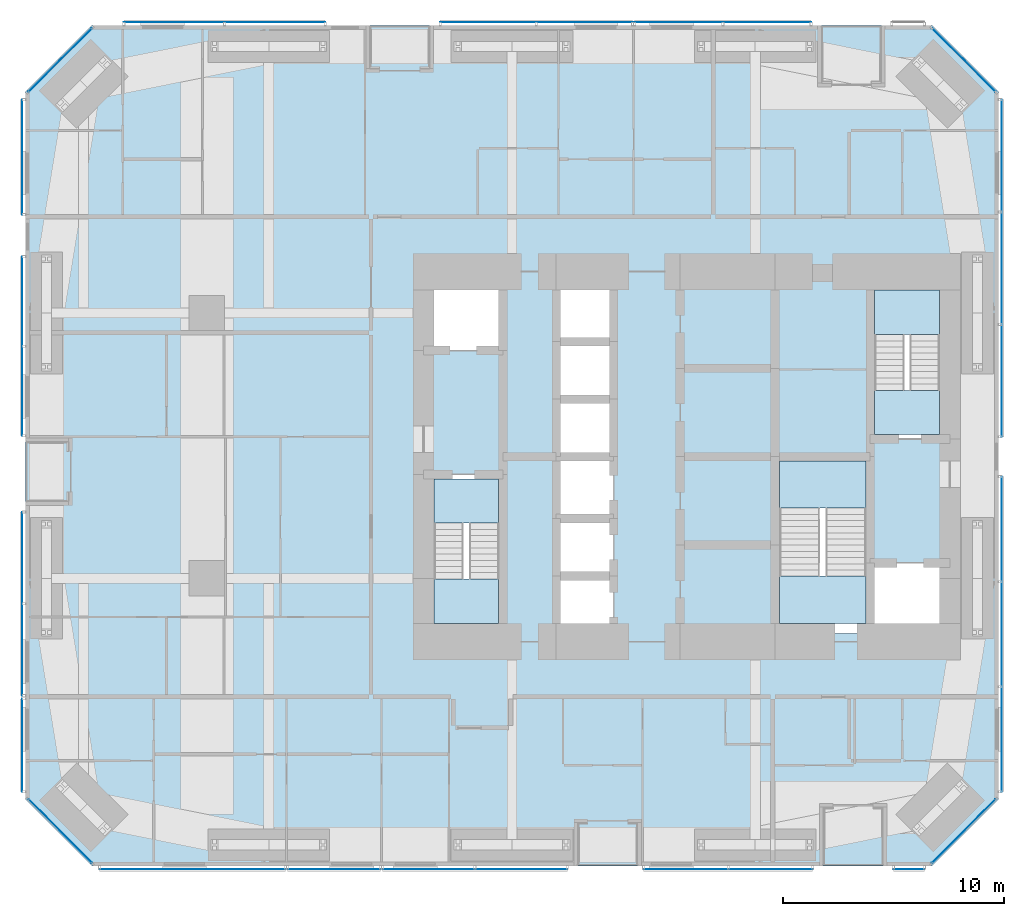
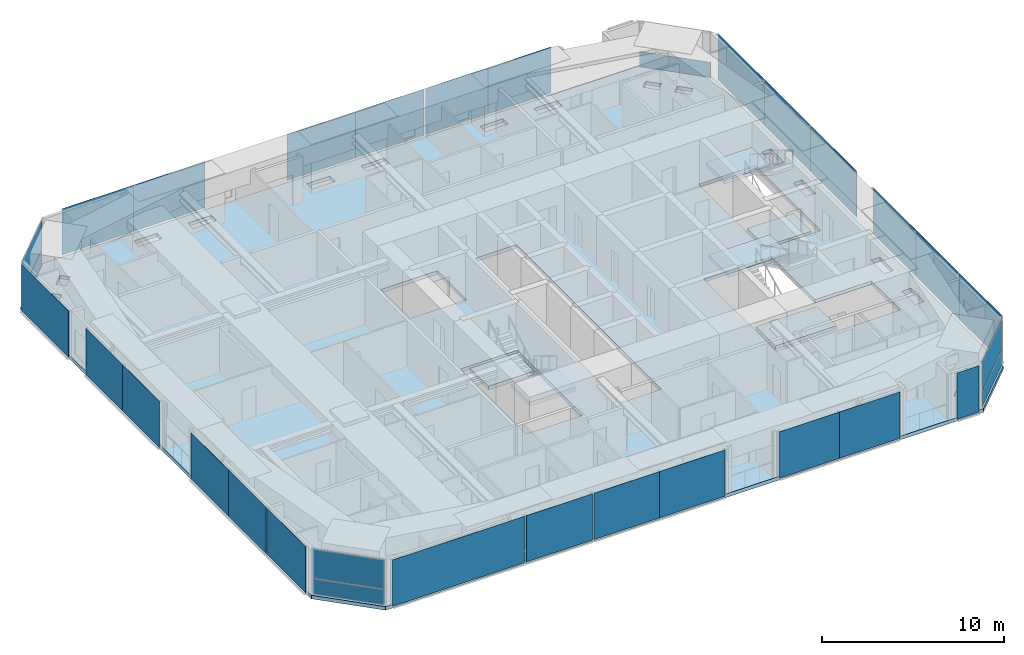
# One storey, part 16 of 24: 32 plates, 7 slabs, 21 elements without a shape of their own.
"""IFC4 building model written with IfcOpenShell, lengths in metres."""

from ifc_helpers import new_model, si_unit, direction, frame, origin, origin_2d, place, context, subcontext, project, spatial, polyline, rectangle, outline, extrude, material, layer, layer_set, type_object, element, aggregate, save


model = new_model("IFC4")

# Units and contexts
model_context = context("Model", 3, precision=1e-05, world=origin(), true_north=direction((0.0, 1.0)))
body_context = subcontext(model_context, "Body", "Model", "MODEL_VIEW")
ifc_project = project(units=[si_unit("LENGTHUNIT", "METRE"), si_unit("AREAUNIT", "SQUARE_METRE"), si_unit("VOLUMEUNIT", "CUBIC_METRE"), si_unit("PLANEANGLEUNIT", "RADIAN"), si_unit("MASSUNIT", "GRAM", prefix="KILO")], contexts=[model_context])

# Site, building, storey
site_placement = place(None, origin())
site = spatial("IfcSite", under=ifc_project, at=site_placement, CompositionType="ELEMENT")
building_placement = place(site_placement, origin())
building = spatial("IfcBuilding", under=site, at=building_placement, Name="Jalousie Tower", CompositionType="ELEMENT")
storey_placement = place(building_placement, frame((0.0, 0.0, 54.5)))
storey = spatial("IfcBuildingStorey", under=building, at=storey_placement, Name="L14", CompositionType="ELEMENT", Elevation=54.5)

# Curtain wall, plates
ifc_material_1 = material(Name="Aluminium curtain wall", Category="aluminium")
curtain_wall_type_1 = type_object("IfcCurtainWallType", Name="CORNER WINDOW WALL", PredefinedType="USERDEFINED", material=ifc_material_1)
curtain_wall_1_placement = place(storey_placement, origin())
curtain_wall_1 = element("IfcCurtainWall", 1, at=curtain_wall_1_placement, inside=storey, type_object=curtain_wall_type_1, Name="Corner Window Wall L14 2", ObjectType="CORNER WINDOW WALL", PredefinedType="USERDEFINED")
ifc_material_2 = material(Name="Laminated impact-rated spandrel glass", Category="glass")
ifc_layer_1 = layer(ifc_material_2, 0.028076171875)
ifc_layer_set_1 = layer_set([ifc_layer_1], Name="Laminated impact-rated spandrel glass")
plate_type_1 = type_object("IfcPlateType", Name="CORNER WINDOW WALL PANEL", PredefinedType="CURTAIN_PANEL", material=ifc_layer_set_1)
plate_1_placement = place(storey_placement, frame((44.4306640625, 1.5693359375, 0.06005859375), z_axis=(0.0, 0.0, 1.0), x_axis=(0.707106781187, 0.707106781187, 0.0)))
plate_1 = element("IfcPlate", 2, at=plate_1_placement, type_object=plate_type_1, Name="CW-C panel 1.1", PredefinedType="CURTAIN_PANEL", context=body_context, shape_type="SweptSolid", body=[
    extrude(rectangle(XDim=4.071533203125, YDim=0.028076171875, at=origin_2d()), origin(), (0.0, 0.0, 1.0), 1.010009765625),
])
plate_2_placement = place(storey_placement, frame((44.4306640625, 1.5693359375, 1.130126953125), z_axis=(0.0, 0.0, 1.0), x_axis=(0.707106781187, 0.707106781187, 0.0)))
plate_2 = element("IfcPlate", 3, at=plate_2_placement, type_object=plate_type_1, Name="CW-C panel 1.2", PredefinedType="CURTAIN_PANEL", context=body_context, shape_type="SweptSolid", body=[
    extrude(rectangle(XDim=4.071533203125, YDim=0.028076171875, at=origin_2d()), origin(), (0.0, 0.0, 1.0), 1.919921875),
])
aggregate(curtain_wall_1, [plate_1, plate_2])

# Curtain wall, plate
curtain_wall_2_placement = place(storey_placement, origin())
curtain_wall_2 = element("IfcCurtainWall", 4, at=curtain_wall_2_placement, inside=storey, type_object=curtain_wall_type_1, Name="Corner Window Wall L14 4", ObjectType="CORNER WINDOW WALL", PredefinedType="USERDEFINED")
plate_3_placement = place(storey_placement, frame((44.4306640625, 36.4306640625, 0.06005859375), z_axis=(0.0, 0.0, 1.0), x_axis=(-0.707106781187, 0.707106781187, 0.0)))
plate_3 = element("IfcPlate", 5, at=plate_3_placement, type_object=plate_type_1, Name="CW-C panel 1.1", PredefinedType="CURTAIN_PANEL", context=body_context, shape_type="SweptSolid", body=[
    extrude(rectangle(XDim=4.071533203125, YDim=0.028076171875, at=origin_2d()), origin(), (0.0, 0.0, 1.0), 1.010009765625),
])
aggregate(curtain_wall_2, [plate_3])

# Curtain wall, plates
curtain_wall_3_placement = place(storey_placement, origin())
curtain_wall_3 = element("IfcCurtainWall", 6, at=curtain_wall_3_placement, inside=storey, type_object=curtain_wall_type_1, Name="Corner Window Wall L14 6", ObjectType="CORNER WINDOW WALL", PredefinedType="USERDEFINED")
plate_4_placement = place(storey_placement, frame((3.5693359375, 36.4306640625, 0.06005859375), z_axis=(0.0, 0.0, 1.0), x_axis=(-0.707106781187, -0.707106781187, 0.0)))
plate_4 = element("IfcPlate", 7, at=plate_4_placement, type_object=plate_type_1, Name="CW-C panel 1.1", PredefinedType="CURTAIN_PANEL", context=body_context, shape_type="SweptSolid", body=[
    extrude(rectangle(XDim=4.071533203125, YDim=0.028076171875, at=origin_2d()), origin(), (0.0, 0.0, 1.0), 1.010009765625),
])
plate_5_placement = place(storey_placement, frame((3.5693359375, 36.4306640625, 1.130126953125), z_axis=(0.0, 0.0, 1.0), x_axis=(-0.707106781187, -0.707106781187, 0.0)))
plate_5 = element("IfcPlate", 8, at=plate_5_placement, type_object=plate_type_1, Name="CW-C panel 1.2", PredefinedType="CURTAIN_PANEL", context=body_context, shape_type="SweptSolid", body=[
    extrude(rectangle(XDim=4.071533203125, YDim=0.028076171875, at=origin_2d()), origin(), (0.0, 0.0, 1.0), 1.919921875),
])
aggregate(curtain_wall_3, [plate_4, plate_5])

curtain_wall_4_placement = place(storey_placement, origin())
curtain_wall_4 = element("IfcCurtainWall", 9, at=curtain_wall_4_placement, inside=storey, type_object=curtain_wall_type_1, Name="Corner Window Wall L14 8", ObjectType="CORNER WINDOW WALL", PredefinedType="USERDEFINED")
plate_6_placement = place(storey_placement, frame((3.5693359375, 1.5693359375, 0.06005859375), z_axis=(0.0, 0.0, 1.0), x_axis=(0.707106781187, -0.707106781187, 0.0)))
plate_6 = element("IfcPlate", 10, at=plate_6_placement, type_object=plate_type_1, Name="CW-C panel 1.1", PredefinedType="CURTAIN_PANEL", context=body_context, shape_type="SweptSolid", body=[
    extrude(rectangle(XDim=4.071533203125, YDim=0.028076171875, at=origin_2d()), origin(), (0.0, 0.0, 1.0), 1.010009765625),
])
plate_7_placement = place(storey_placement, frame((3.5693359375, 1.5693359375, 1.130126953125), z_axis=(0.0, 0.0, 1.0), x_axis=(0.707106781187, -0.707106781187, 0.0)))
plate_7 = element("IfcPlate", 11, at=plate_7_placement, type_object=plate_type_1, Name="CW-C panel 1.2", PredefinedType="CURTAIN_PANEL", context=body_context, shape_type="SweptSolid", body=[
    extrude(rectangle(XDim=4.071533203125, YDim=0.028076171875, at=origin_2d()), origin(), (0.0, 0.0, 1.0), 1.919921875),
])
aggregate(curtain_wall_4, [plate_6, plate_7])

# Slab
ifc_material_3 = material(Name="Concrete f'c 40 MPa", Category="concrete")
ifc_layer_2 = layer(ifc_material_3, 0.239990234375)
ifc_layer_set_2 = layer_set([ifc_layer_2], Name="Concrete f'c 40 MPa")
slab_type_1 = type_object("IfcSlabType", Name="FLOOR SLAB 240", PredefinedType="FLOOR", material=ifc_layer_set_2)
slab_1_placement = place(storey_placement, frame((0.0, 0.0, -0.239990234375)))
element("IfcSlab", 12, at=slab_1_placement, inside=storey, type_object=slab_type_1, Name="L14 floor slab", PredefinedType="FLOOR", context=body_context, shape_type="SweptSolid", body=[
    extrude(outline(polyline([(5.0, 0.0), (43.0, 0.0), (46.0, 3.0), (46.0, 35.0), (43.0, 38.0), (5.0, 38.0), (2.0, 35.0), (2.0, 3.0), (5.0, 0.0)]), holes=[polyline([(24.986083984375, 0.663818359375), (24.986083984375, 1.236083984375), (26.390380859375, 1.236083984375), (26.449951171875, 1.236083984375), (26.449951171875, 0.663818359375), (26.390380859375, 0.663818359375), (24.986083984375, 0.663818359375)]), polyline([(23.013916015625, 1.236083984375), (23.013916015625, 0.663818359375), (21.609619140625, 0.663818359375), (21.550048828125, 0.663818359375), (21.550048828125, 1.236083984375), (21.609619140625, 1.236083984375), (23.013916015625, 1.236083984375)]), polyline([(10.550048828125, 1.236083984375), (10.609619140625, 1.236083984375), (12.013916015625, 1.236083984375), (12.013916015625, 0.663818359375), (10.609619140625, 0.663818359375), (10.550048828125, 0.663818359375), (10.550048828125, 1.236083984375)]), polyline([(13.986083984375, 1.236083984375), (15.390380859375, 1.236083984375), (15.449951171875, 1.236083984375), (15.449951171875, 0.663818359375), (15.390380859375, 0.663818359375), (13.986083984375, 0.663818359375), (13.986083984375, 1.236083984375)]), polyline([(5.788330078125, 1.879150390625), (5.788330078125, 1.879150390625), (5.5859375, 1.6767578125), (5.383544921875, 1.474365234375), (4.750244140625, 2.10791015625), (5.155029296875, 2.5126953125), (5.788330078125, 1.879150390625), (5.788330078125, 1.879150390625)]), polyline([(3.947265625, 3.72021484375), (3.96533203125, 3.7021484375), (4.5126953125, 3.155029296875), (4.10791015625, 2.750244140625), (3.474365234375, 3.383544921875), (3.6767578125, 3.5859375), (3.879150390625, 3.788330078125), (3.879150390625, 3.788330078125), (3.947265625, 3.72021484375)]), polyline([(3.236083984375, 10.550048828125), (2.663818359375, 10.550048828125), (2.663818359375, 10.609619140625), (2.663818359375, 12.013916015625), (3.236083984375, 12.013916015625), (3.236083984375, 10.609619140625), (3.236083984375, 10.550048828125)]), polyline([(26.0, 10.5), (26.0, 26.5), (28.60009765625, 26.5), (28.60009765625, 10.5), (26.0, 10.5)]), polyline([(20.0, 10.5), (23.60009765625, 10.5), (23.60009765625, 17.699951171875), (20.0, 17.699951171875), (20.0, 10.5)]), polyline([(3.236083984375, 15.390380859375), (3.236083984375, 13.986083984375), (2.663818359375, 13.986083984375), (2.663818359375, 15.390380859375), (2.663818359375, 15.449951171875), (3.236083984375, 15.449951171875), (3.236083984375, 15.390380859375)]), polyline([(2.663818359375, 24.013916015625), (3.236083984375, 24.013916015625), (3.236083984375, 22.609619140625), (3.236083984375, 22.550048828125), (2.663818359375, 22.550048828125), (2.663818359375, 22.609619140625), (2.663818359375, 24.013916015625)]), polyline([(20.0, 23.300048828125), (23.60009765625, 23.300048828125), (23.60009765625, 26.5), (20.0, 26.5), (20.0, 23.300048828125)]), polyline([(3.236083984375, 25.986083984375), (2.663818359375, 25.986083984375), (2.663818359375, 27.390380859375), (2.663818359375, 27.449951171875), (3.236083984375, 27.449951171875), (3.236083984375, 27.390380859375), (3.236083984375, 25.986083984375)]), polyline([(3.560791015625, 34.70263671875), (4.10791015625, 35.249755859375), (4.5126953125, 34.844970703125), (3.879150390625, 34.211669921875), (3.474365234375, 34.616455078125), (3.560791015625, 34.70263671875)]), polyline([(5.788330078125, 36.120849609375), (5.7294921875, 36.06201171875), (5.7021484375, 36.03466796875), (5.7021484375, 36.03466796875), (5.155029296875, 35.4873046875), (4.750244140625, 35.89208984375), (5.383544921875, 36.525634765625), (5.5859375, 36.3232421875), (5.788330078125, 36.120849609375), (5.788330078125, 36.120849609375), (5.788330078125, 36.120849609375)]), polyline([(15.449951171875, 37.336181640625), (15.449951171875, 36.763916015625), (15.390380859375, 36.763916015625), (13.986083984375, 36.763916015625), (13.986083984375, 37.336181640625), (15.390380859375, 37.336181640625), (15.449951171875, 37.336181640625)]), polyline([(23.013916015625, 36.763916015625), (21.609619140625, 36.763916015625), (21.550048828125, 36.763916015625), (21.550048828125, 37.336181640625), (21.609619140625, 37.336181640625), (23.013916015625, 37.336181640625), (23.013916015625, 36.763916015625)]), polyline([(10.550048828125, 36.763916015625), (10.550048828125, 37.336181640625), (10.609619140625, 37.336181640625), (12.013916015625, 37.336181640625), (12.013916015625, 36.763916015625), (10.609619140625, 36.763916015625), (10.550048828125, 36.763916015625)]), polyline([(24.986083984375, 37.336181640625), (26.390380859375, 37.336181640625), (26.449951171875, 37.336181640625), (26.449951171875, 36.763916015625), (26.390380859375, 36.763916015625), (24.986083984375, 36.763916015625), (24.986083984375, 37.336181640625)]), polyline([(32.609619140625, 0.663818359375), (32.550048828125, 0.663818359375), (32.550048828125, 1.236083984375), (32.609619140625, 1.236083984375), (34.013916015625, 1.236083984375), (34.013916015625, 0.663818359375), (32.609619140625, 0.663818359375)]), polyline([(37.390380859375, 1.236083984375), (37.449951171875, 1.236083984375), (37.449951171875, 0.663818359375), (37.390380859375, 0.663818359375), (35.986083984375, 0.663818359375), (35.986083984375, 1.236083984375), (37.390380859375, 1.236083984375)]), polyline([(42.70263671875, 1.560791015625), (42.616455078125, 1.474365234375), (42.4140625, 1.6767578125), (42.211669921875, 1.879150390625), (42.211669921875, 1.879150390625), (42.2978515625, 1.96533203125), (42.844970703125, 2.5126953125), (43.249755859375, 2.10791015625), (42.70263671875, 1.560791015625), (42.70263671875, 1.560791015625)]), polyline([(44.03466796875, 3.7021484375), (44.04345703125, 3.7109375), (44.120849609375, 3.788330078125), (44.120849609375, 3.788330078125), (44.120849609375, 3.788330078125), (44.3232421875, 3.5859375), (44.525634765625, 3.383544921875), (43.89208984375, 2.750244140625), (43.4873046875, 3.155029296875), (44.03466796875, 3.7021484375)]), polyline([(45.336181640625, 10.550048828125), (44.763916015625, 10.550048828125), (44.763916015625, 10.609619140625), (44.763916015625, 12.013916015625), (45.336181640625, 12.013916015625), (45.336181640625, 10.609619140625), (45.336181640625, 10.550048828125)]), polyline([(35.89990234375, 10.5), (35.89990234375, 18.5), (40.199951171875, 18.5), (40.199951171875, 13.699951171875), (43.800048828125, 13.699951171875), (43.800048828125, 10.5), (35.89990234375, 10.5)]), polyline([(45.336181640625, 13.986083984375), (44.763916015625, 13.986083984375), (44.763916015625, 15.390380859375), (44.763916015625, 15.449951171875), (45.336181640625, 15.449951171875), (45.336181640625, 15.390380859375), (45.336181640625, 13.986083984375)]), polyline([(40.199951171875, 19.300048828125), (43.800048828125, 19.300048828125), (43.800048828125, 26.5), (40.199951171875, 26.5), (40.199951171875, 19.300048828125)]), polyline([(45.336181640625, 22.550048828125), (44.763916015625, 22.550048828125), (44.763916015625, 22.609619140625), (44.763916015625, 24.013916015625), (45.336181640625, 24.013916015625), (45.336181640625, 22.609619140625), (45.336181640625, 22.550048828125)]), polyline([(45.336181640625, 27.390380859375), (45.336181640625, 25.986083984375), (44.763916015625, 25.986083984375), (44.763916015625, 27.390380859375), (44.763916015625, 27.449951171875), (45.336181640625, 27.449951171875), (45.336181640625, 27.390380859375)]), polyline([(44.120849609375, 34.211669921875), (44.03466796875, 34.2978515625), (43.4873046875, 34.844970703125), (43.89208984375, 35.249755859375), (44.525634765625, 34.616455078125), (44.525634765625, 34.616455078125), (44.525634765625, 34.616455078125), (44.3232421875, 34.4140625), (44.120849609375, 34.211669921875)]), polyline([(42.616455078125, 36.525634765625), (42.616455078125, 36.525634765625), (43.249755859375, 35.89208984375), (42.844970703125, 35.4873046875), (42.2978515625, 36.03466796875), (42.211669921875, 36.120849609375), (42.4140625, 36.3232421875), (42.616455078125, 36.525634765625), (42.616455078125, 36.525634765625)]), polyline([(37.390380859375, 37.336181640625), (37.449951171875, 37.336181640625), (37.449951171875, 36.763916015625), (37.390380859375, 36.763916015625), (35.986083984375, 36.763916015625), (35.986083984375, 37.336181640625), (37.390380859375, 37.336181640625)]), polyline([(34.013916015625, 37.336181640625), (34.013916015625, 36.763916015625), (32.609619140625, 36.763916015625), (32.550048828125, 36.763916015625), (32.550048828125, 37.336181640625), (32.609619140625, 37.336181640625), (34.013916015625, 37.336181640625)])]), origin(), (0.0, 0.0, 1.0), 0.239990234375),
])

# Curtain wall, plate
ifc_material_4 = material(Name="Perforated aluminium sheet", Category="aluminium")
curtain_wall_type_2 = type_object("IfcCurtainWallType", Name="SOLAR SCREEN SS-1", PredefinedType="USERDEFINED", material=ifc_material_4)
curtain_wall_5_placement = place(storey_placement, origin())
curtain_wall_5 = element("IfcCurtainWall", 13, at=curtain_wall_5_placement, inside=storey, type_object=curtain_wall_type_2, Name="Solar screen L14", ObjectType="SOLAR SCREEN SS-1", PredefinedType="USERDEFINED")
ifc_material_5 = material(Name="Perforated aluminium sheet", Category="aluminium")
ifc_layer_3 = layer(ifc_material_5, 0.006103515625)
ifc_layer_set_3 = layer_set([ifc_layer_3], Name="Perforated aluminium sheet")
plate_type_2 = type_object("IfcPlateType", Name="SOLAR SCREEN SS-1 PANEL", PredefinedType="CURTAIN_PANEL", material=ifc_layer_set_3)
plate_8_placement = place(storey_placement, frame((9.55078125, -0.150390625, 0.0), z_axis=(0.0, 0.0, 1.0), x_axis=(1.0, 0.0, 0.0)))
plate_8 = element("IfcPlate", 14, at=plate_8_placement, type_object=plate_type_2, Name="SS1 perforated panel 1", PredefinedType="CURTAIN_PANEL", context=body_context, shape_type="SweptSolid", body=[
    extrude(rectangle(XDim=8.398681640625, YDim=0.006103515625, at=origin_2d()), origin(), (0.0, 0.0, 1.0), 3.110107421875),
])
aggregate(curtain_wall_5, [plate_8])

curtain_wall_6_placement = place(storey_placement, origin())
curtain_wall_6 = element("IfcCurtainWall", 15, at=curtain_wall_6_placement, inside=storey, type_object=curtain_wall_type_2, Name="Solar screen L14", ObjectType="SOLAR SCREEN SS-1", PredefinedType="USERDEFINED")
plate_9_placement = place(storey_placement, frame((15.949951171875, -0.150390625, 0.0), z_axis=(0.0, 0.0, 1.0), x_axis=(1.0, 0.0, 0.0)))
plate_9 = element("IfcPlate", 16, at=plate_9_placement, type_object=plate_type_2, Name="SS1 perforated panel 1", PredefinedType="CURTAIN_PANEL", context=body_context, shape_type="SweptSolid", body=[
    extrude(rectangle(XDim=4.199951171875, YDim=0.006103515625, at=origin_2d()), origin(), (0.0, 0.0, 1.0), 3.110107421875),
])
aggregate(curtain_wall_6, [plate_9])

# Curtain wall, plates
curtain_wall_7_placement = place(storey_placement, origin())
curtain_wall_7 = element("IfcCurtainWall", 17, at=curtain_wall_7_placement, inside=storey, type_object=curtain_wall_type_2, Name="Solar screen L14", ObjectType="SOLAR SCREEN SS-1", PredefinedType="USERDEFINED")
plate_10_placement = place(storey_placement, frame((20.237548828125, -0.150390625, 0.0), z_axis=(0.0, 0.0, 1.0), x_axis=(1.0, 0.0, 0.0)))
plate_10 = element("IfcPlate", 18, at=plate_10_placement, type_object=plate_type_2, Name="SS1 perforated panel 1", PredefinedType="CURTAIN_PANEL", context=body_context, shape_type="SweptSolid", body=[
    extrude(rectangle(XDim=4.175048828125, YDim=0.006103515625, at=origin_2d()), origin(), (0.0, 0.0, 1.0), 3.110107421875),
])
plate_11_placement = place(storey_placement, frame((24.41259765625, -0.150390625, 0.0), z_axis=(0.0, 0.0, 1.0), x_axis=(1.0, 0.0, 0.0)))
plate_11 = element("IfcPlate", 19, at=plate_11_placement, type_object=plate_type_2, Name="SS1 perforated panel 2", PredefinedType="CURTAIN_PANEL", context=body_context, shape_type="SweptSolid", body=[
    extrude(rectangle(XDim=4.175048828125, YDim=0.006103515625, at=origin_2d()), origin(), (0.0, 0.0, 1.0), 3.110107421875),
])
aggregate(curtain_wall_7, [plate_10, plate_11])

curtain_wall_8_placement = place(storey_placement, origin())
curtain_wall_8 = element("IfcCurtainWall", 20, at=curtain_wall_8_placement, inside=storey, type_object=curtain_wall_type_2, Name="Solar screen L14", ObjectType="SOLAR SCREEN SS-1", PredefinedType="USERDEFINED")
plate_12_placement = place(storey_placement, frame((31.862548828125, -0.150390625, 0.0), z_axis=(0.0, 0.0, 1.0), x_axis=(1.0, 0.0, 0.0)))
plate_12 = element("IfcPlate", 21, at=plate_12_placement, type_object=plate_type_2, Name="SS1 perforated panel 1", PredefinedType="CURTAIN_PANEL", context=body_context, shape_type="SweptSolid", body=[
    extrude(rectangle(XDim=3.824951171875, YDim=0.006103515625, at=origin_2d()), origin(), (0.0, 0.0, 1.0), 3.110107421875),
])
plate_13_placement = place(storey_placement, frame((35.6875, -0.150390625, 0.0), z_axis=(0.0, 0.0, 1.0), x_axis=(1.0, 0.0, 0.0)))
plate_13 = element("IfcPlate", 22, at=plate_13_placement, type_object=plate_type_2, Name="SS1 perforated panel 2", PredefinedType="CURTAIN_PANEL", context=body_context, shape_type="SweptSolid", body=[
    extrude(rectangle(XDim=3.824951171875, YDim=0.006103515625, at=origin_2d()), origin(), (0.0, 0.0, 1.0), 3.110107421875),
])
aggregate(curtain_wall_8, [plate_12, plate_13])

# Curtain wall, plate
curtain_wall_9_placement = place(storey_placement, origin())
curtain_wall_9 = element("IfcCurtainWall", 23, at=curtain_wall_9_placement, inside=storey, type_object=curtain_wall_type_2, Name="Solar screen L14", ObjectType="SOLAR SCREEN SS-1", PredefinedType="USERDEFINED")
plate_14_placement = place(storey_placement, frame((41.94921875, -0.150390625, 0.0), z_axis=(0.0, 0.0, 1.0), x_axis=(1.0, 0.0, 0.0)))
plate_14 = element("IfcPlate", 24, at=plate_14_placement, type_object=plate_type_2, Name="SS1 perforated panel 1", PredefinedType="CURTAIN_PANEL", context=body_context, shape_type="SweptSolid", body=[
    extrude(rectangle(XDim=1.398681640625, YDim=0.006103515625, at=origin_2d()), origin(), (0.0, 0.0, 1.0), 3.110107421875),
])
aggregate(curtain_wall_9, [plate_14])

# Curtain wall, plates
curtain_wall_10_placement = place(storey_placement, origin())
curtain_wall_10 = element("IfcCurtainWall", 25, at=curtain_wall_10_placement, inside=storey, type_object=curtain_wall_type_2, Name="Solar screen L14", ObjectType="SOLAR SCREEN SS-1", PredefinedType="USERDEFINED")
plate_15_placement = place(storey_placement, frame((46.150390625, 5.72607421875, 0.0), z_axis=(0.0, 0.0, 1.0), x_axis=(0.0, 1.0, 0.0)))
plate_15 = element("IfcPlate", 26, at=plate_15_placement, type_object=plate_type_2, Name="SS1 perforated panel 1", PredefinedType="CURTAIN_PANEL", context=body_context, shape_type="SweptSolid", body=[
    extrude(rectangle(XDim=4.74951171875, YDim=0.006103515625, at=origin_2d()), origin(), (0.0, 0.0, 1.0), 3.110107421875),
])
plate_16_placement = place(storey_placement, frame((46.150390625, 10.4755859375, 0.0), z_axis=(0.0, 0.0, 1.0), x_axis=(0.0, 1.0, 0.0)))
plate_16 = element("IfcPlate", 27, at=plate_16_placement, type_object=plate_type_2, Name="SS1 perforated panel 2", PredefinedType="CURTAIN_PANEL", context=body_context, shape_type="SweptSolid", body=[
    extrude(rectangle(XDim=4.74951171875, YDim=0.006103515625, at=origin_2d()), origin(), (0.0, 0.0, 1.0), 3.110107421875),
])
plate_17_placement = place(storey_placement, frame((46.150390625, 15.22509765625, 0.0), z_axis=(0.0, 0.0, 1.0), x_axis=(0.0, 1.0, 0.0)))
plate_17 = element("IfcPlate", 28, at=plate_17_placement, type_object=plate_type_2, Name="SS1 perforated panel 3", PredefinedType="CURTAIN_PANEL", context=body_context, shape_type="SweptSolid", body=[
    extrude(rectangle(XDim=4.74951171875, YDim=0.006103515625, at=origin_2d()), origin(), (0.0, 0.0, 1.0), 3.110107421875),
])
aggregate(curtain_wall_10, [plate_15, plate_16, plate_17])

curtain_wall_11_placement = place(storey_placement, origin())
curtain_wall_11 = element("IfcCurtainWall", 29, at=curtain_wall_11_placement, inside=storey, type_object=curtain_wall_type_2, Name="Solar screen L14", ObjectType="SOLAR SCREEN SS-1", PredefinedType="USERDEFINED")
plate_18_placement = place(storey_placement, frame((46.150390625, 21.94140625, 0.0), z_axis=(0.0, 0.0, 1.0), x_axis=(0.0, 1.0, 0.0)))
plate_18 = element("IfcPlate", 30, at=plate_18_placement, type_object=plate_type_2, Name="SS1 perforated panel 1", PredefinedType="CURTAIN_PANEL", context=body_context, shape_type="SweptSolid", body=[
    extrude(rectangle(XDim=5.0830078125, YDim=0.006103515625, at=origin_2d()), origin(), (0.0, 0.0, 1.0), 3.110107421875),
])
plate_19_placement = place(storey_placement, frame((46.150390625, 27.0244140625, 0.0), z_axis=(0.0, 0.0, 1.0), x_axis=(0.0, 1.0, 0.0)))
plate_19 = element("IfcPlate", 31, at=plate_19_placement, type_object=plate_type_2, Name="SS1 perforated panel 2", PredefinedType="CURTAIN_PANEL", context=body_context, shape_type="SweptSolid", body=[
    extrude(rectangle(XDim=5.0830078125, YDim=0.006103515625, at=origin_2d()), origin(), (0.0, 0.0, 1.0), 3.110107421875),
])
plate_20_placement = place(storey_placement, frame((46.150390625, 32.107177734375, 0.0), z_axis=(0.0, 0.0, 1.0), x_axis=(0.0, 1.0, 0.0)))
plate_20 = element("IfcPlate", 32, at=plate_20_placement, type_object=plate_type_2, Name="SS1 perforated panel 3", PredefinedType="CURTAIN_PANEL", context=body_context, shape_type="SweptSolid", body=[
    extrude(rectangle(XDim=5.0830078125, YDim=0.006103515625, at=origin_2d()), origin(), (0.0, 0.0, 1.0), 3.110107421875),
])
aggregate(curtain_wall_11, [plate_18, plate_19, plate_20])

curtain_wall_12_placement = place(storey_placement, origin())
curtain_wall_12 = element("IfcCurtainWall", 33, at=curtain_wall_12_placement, inside=storey, type_object=curtain_wall_type_2, Name="Solar screen L14", ObjectType="SOLAR SCREEN SS-1", PredefinedType="USERDEFINED")
plate_21_placement = place(storey_placement, frame((35.5302734375, 38.150390625, 0.0), z_axis=(0.0, 0.0, 1.0), x_axis=(-1.0, 0.0, 0.0)))
plate_21 = element("IfcPlate", 34, at=plate_21_placement, type_object=plate_type_2, Name="SS1 perforated panel 1", PredefinedType="CURTAIN_PANEL", context=body_context, shape_type="SweptSolid", body=[
    extrude(rectangle(XDim=3.98681640625, YDim=0.006103515625, at=origin_2d()), origin(), (0.0, 0.0, 1.0), 3.110107421875),
])
plate_22_placement = place(storey_placement, frame((31.54345703125, 38.150390625, 0.0), z_axis=(0.0, 0.0, 1.0), x_axis=(-1.0, 0.0, 0.0)))
plate_22 = element("IfcPlate", 35, at=plate_22_placement, type_object=plate_type_2, Name="SS1 perforated panel 2", PredefinedType="CURTAIN_PANEL", context=body_context, shape_type="SweptSolid", body=[
    extrude(rectangle(XDim=3.98681640625, YDim=0.006103515625, at=origin_2d()), origin(), (0.0, 0.0, 1.0), 3.110107421875),
])
aggregate(curtain_wall_12, [plate_21, plate_22])

curtain_wall_13_placement = place(storey_placement, origin())
curtain_wall_13 = element("IfcCurtainWall", 36, at=curtain_wall_13_placement, inside=storey, type_object=curtain_wall_type_2, Name="Solar screen L14", ObjectType="SOLAR SCREEN SS-1", PredefinedType="USERDEFINED")
plate_23_placement = place(storey_placement, frame((27.27490234375, 38.150390625, 0.0), z_axis=(0.0, 0.0, 1.0), x_axis=(-1.0, 0.0, 0.0)))
plate_23 = element("IfcPlate", 37, at=plate_23_placement, type_object=plate_type_2, Name="SS1 perforated panel 1", PredefinedType="CURTAIN_PANEL", context=body_context, shape_type="SweptSolid", body=[
    extrude(rectangle(XDim=4.35009765625, YDim=0.006103515625, at=origin_2d()), origin(), (0.0, 0.0, 1.0), 3.110107421875),
])
plate_24_placement = place(storey_placement, frame((22.925048828125, 38.150390625, 0.0), z_axis=(0.0, 0.0, 1.0), x_axis=(-1.0, 0.0, 0.0)))
plate_24 = element("IfcPlate", 38, at=plate_24_placement, type_object=plate_type_2, Name="SS1 perforated panel 2", PredefinedType="CURTAIN_PANEL", context=body_context, shape_type="SweptSolid", body=[
    extrude(rectangle(XDim=4.35009765625, YDim=0.006103515625, at=origin_2d()), origin(), (0.0, 0.0, 1.0), 3.110107421875),
])
aggregate(curtain_wall_13, [plate_23, plate_24])

curtain_wall_14_placement = place(storey_placement, origin())
curtain_wall_14 = element("IfcCurtainWall", 39, at=curtain_wall_14_placement, inside=storey, type_object=curtain_wall_type_2, Name="Solar screen L14", ObjectType="SOLAR SCREEN SS-1", PredefinedType="USERDEFINED")
plate_25_placement = place(storey_placement, frame((13.27490234375, 38.150390625, 0.0), z_axis=(0.0, 0.0, 1.0), x_axis=(-1.0, 0.0, 0.0)))
plate_25 = element("IfcPlate", 40, at=plate_25_placement, type_object=plate_type_2, Name="SS1 perforated panel 1", PredefinedType="CURTAIN_PANEL", context=body_context, shape_type="SweptSolid", body=[
    extrude(rectangle(XDim=4.550048828125, YDim=0.006103515625, at=origin_2d()), origin(), (0.0, 0.0, 1.0), 3.110107421875),
])
plate_26_placement = place(storey_placement, frame((8.72509765625, 38.150390625, 0.0), z_axis=(0.0, 0.0, 1.0), x_axis=(-1.0, 0.0, 0.0)))
plate_26 = element("IfcPlate", 41, at=plate_26_placement, type_object=plate_type_2, Name="SS1 perforated panel 2", PredefinedType="CURTAIN_PANEL", context=body_context, shape_type="SweptSolid", body=[
    extrude(rectangle(XDim=4.550048828125, YDim=0.006103515625, at=origin_2d()), origin(), (0.0, 0.0, 1.0), 3.110107421875),
])
aggregate(curtain_wall_14, [plate_25, plate_26])

# Curtain wall, plate
curtain_wall_15_placement = place(storey_placement, origin())
curtain_wall_15 = element("IfcCurtainWall", 42, at=curtain_wall_15_placement, inside=storey, type_object=curtain_wall_type_2, Name="Solar screen L14", ObjectType="SOLAR SCREEN SS-1", PredefinedType="USERDEFINED")
plate_27_placement = place(storey_placement, frame((1.849609375, 32.04931640625, 0.0), z_axis=(0.0, 0.0, 1.0), x_axis=(0.0, -1.0, 0.0)))
plate_27 = element("IfcPlate", 43, at=plate_27_placement, type_object=plate_type_2, Name="SS1 perforated panel 1", PredefinedType="CURTAIN_PANEL", context=body_context, shape_type="SweptSolid", body=[
    extrude(rectangle(XDim=5.19873046875, YDim=0.006103515625, at=origin_2d()), origin(), (0.0, 0.0, 1.0), 3.110107421875),
])
aggregate(curtain_wall_15, [plate_27])

# Curtain wall, plates
curtain_wall_16_placement = place(storey_placement, origin())
curtain_wall_16 = element("IfcCurtainWall", 44, at=curtain_wall_16_placement, inside=storey, type_object=curtain_wall_type_2, Name="Solar screen L14", ObjectType="SOLAR SCREEN SS-1", PredefinedType="USERDEFINED")
plate_28_placement = place(storey_placement, frame((1.849609375, 25.52490234375, 0.0), z_axis=(0.0, 0.0, 1.0), x_axis=(0.0, -1.0, 0.0)))
plate_28 = element("IfcPlate", 45, at=plate_28_placement, type_object=plate_type_2, Name="SS1 perforated panel 1", PredefinedType="CURTAIN_PANEL", context=body_context, shape_type="SweptSolid", body=[
    extrude(rectangle(XDim=4.050048828125, YDim=0.006103515625, at=origin_2d()), origin(), (0.0, 0.0, 1.0), 3.110107421875),
])
plate_29_placement = place(storey_placement, frame((1.849609375, 21.47509765625, 0.0), z_axis=(0.0, 0.0, 1.0), x_axis=(0.0, -1.0, 0.0)))
plate_29 = element("IfcPlate", 46, at=plate_29_placement, type_object=plate_type_2, Name="SS1 perforated panel 2", PredefinedType="CURTAIN_PANEL", context=body_context, shape_type="SweptSolid", body=[
    extrude(rectangle(XDim=4.050048828125, YDim=0.006103515625, at=origin_2d()), origin(), (0.0, 0.0, 1.0), 3.110107421875),
])
aggregate(curtain_wall_16, [plate_28, plate_29])

curtain_wall_17_placement = place(storey_placement, origin())
curtain_wall_17 = element("IfcCurtainWall", 47, at=curtain_wall_17_placement, inside=storey, type_object=curtain_wall_type_2, Name="Solar screen L14", ObjectType="SOLAR SCREEN SS-1", PredefinedType="USERDEFINED")
plate_30_placement = place(storey_placement, frame((1.849609375, 13.925048828125, 0.0), z_axis=(0.0, 0.0, 1.0), x_axis=(0.0, -1.0, 0.0)))
plate_30 = element("IfcPlate", 48, at=plate_30_placement, type_object=plate_type_2, Name="SS1 perforated panel 1", PredefinedType="CURTAIN_PANEL", context=body_context, shape_type="SweptSolid", body=[
    extrude(rectangle(XDim=4.14990234375, YDim=0.006103515625, at=origin_2d()), origin(), (0.0, 0.0, 1.0), 3.110107421875),
])
plate_31_placement = place(storey_placement, frame((1.849609375, 9.77490234375, 0.0), z_axis=(0.0, 0.0, 1.0), x_axis=(0.0, -1.0, 0.0)))
plate_31 = element("IfcPlate", 49, at=plate_31_placement, type_object=plate_type_2, Name="SS1 perforated panel 2", PredefinedType="CURTAIN_PANEL", context=body_context, shape_type="SweptSolid", body=[
    extrude(rectangle(XDim=4.14990234375, YDim=0.006103515625, at=origin_2d()), origin(), (0.0, 0.0, 1.0), 3.110107421875),
])
aggregate(curtain_wall_17, [plate_30, plate_31])

# Curtain wall, plate
curtain_wall_18_placement = place(storey_placement, origin())
curtain_wall_18 = element("IfcCurtainWall", 50, at=curtain_wall_18_placement, inside=storey, type_object=curtain_wall_type_2, Name="Solar screen L14", ObjectType="SOLAR SCREEN SS-1", PredefinedType="USERDEFINED")
plate_32_placement = place(storey_placement, frame((1.849609375, 5.45068359375, 0.0), z_axis=(0.0, 0.0, 1.0), x_axis=(0.0, -1.0, 0.0)))
plate_32 = element("IfcPlate", 51, at=plate_32_placement, type_object=plate_type_2, Name="SS1 perforated panel 1", PredefinedType="CURTAIN_PANEL", context=body_context, shape_type="SweptSolid", body=[
    extrude(rectangle(XDim=4.19873046875, YDim=0.006103515625, at=origin_2d()), origin(), (0.0, 0.0, 1.0), 3.110107421875),
])
aggregate(curtain_wall_18, [plate_32])

# Stair, slabs
ifc_material_6 = material(Name="Concrete f'c 40 MPa", Category="concrete")
stair_type = type_object("IfcStairType", Name="EXIT STAIR", PredefinedType="HALF_TURN_STAIR", material=ifc_material_6)
stair_1_placement = place(storey_placement, origin())
stair_1 = element("IfcStair", 52, at=stair_1_placement, inside=storey, type_object=stair_type, Name="Exit stair A L14", PredefinedType="HALF_TURN_STAIR")
ifc_material_7 = material(Name="Concrete f'c 40 MPa", Category="concrete")
ifc_layer_4 = layer(ifc_material_7, 0.25)
ifc_layer_set_4 = layer_set([ifc_layer_4], Name="Concrete f'c 40 MPa")
slab_type_2 = type_object("IfcSlabType", Name="STAIR LANDING 250", PredefinedType="LANDING", material=ifc_layer_set_4)
slab_2_placement = place(storey_placement, frame((0.0, 0.0, -0.25)))
slab_2 = element("IfcSlab", 53, at=slab_2_placement, type_object=slab_type_2, Name="ST-A landing 1", PredefinedType="LANDING", context=body_context, shape_type="SweptSolid", body=[
    extrude(outline(polyline([(20.47509765625, 15.49755859375), (23.39990234375, 15.49755859375), (23.39990234375, 17.5), (20.47509765625, 17.5), (20.47509765625, 15.49755859375)])), origin(), (0.0, 0.0, 1.0), 0.25),
])
slab_3_placement = place(storey_placement, frame((0.0, 0.0, 1.425048828125)))
slab_3 = element("IfcSlab", 54, at=slab_3_placement, type_object=slab_type_2, Name="ST-A landing 2", PredefinedType="LANDING", context=body_context, shape_type="SweptSolid", body=[
    extrude(outline(polyline([(20.47509765625, 10.949951171875), (23.39990234375, 10.949951171875), (23.39990234375, 12.9775390625), (20.47509765625, 12.9775390625), (20.47509765625, 10.949951171875)])), origin(), (0.0, 0.0, 1.0), 0.25),
])
aggregate(stair_1, [slab_2, slab_3])

stair_2_placement = place(storey_placement, origin())
stair_2 = element("IfcStair", 55, at=stair_2_placement, inside=storey, type_object=stair_type, Name="Exit stair B L14", PredefinedType="HALF_TURN_STAIR")
slab_4_placement = place(storey_placement, frame((0.0, 0.0, -0.25)))
slab_4 = element("IfcSlab", 56, at=slab_4_placement, type_object=slab_type_2, Name="ST-B landing 1", PredefinedType="LANDING", context=body_context, shape_type="SweptSolid", body=[
    extrude(outline(polyline([(40.39990234375, 19.5), (43.324951171875, 19.5), (43.324951171875, 21.50244140625), (40.39990234375, 21.50244140625), (40.39990234375, 19.5)])), origin(), (0.0, 0.0, 1.0), 0.25),
])
slab_5_placement = place(storey_placement, frame((0.0, 0.0, 1.425048828125)))
slab_5 = element("IfcSlab", 57, at=slab_5_placement, type_object=slab_type_2, Name="ST-B landing 2", PredefinedType="LANDING", context=body_context, shape_type="SweptSolid", body=[
    extrude(outline(polyline([(40.39990234375, 24.0224609375), (43.324951171875, 24.0224609375), (43.324951171875, 26.050048828125), (40.39990234375, 26.050048828125), (40.39990234375, 24.0224609375)])), origin(), (0.0, 0.0, 1.0), 0.25),
])
aggregate(stair_2, [slab_4, slab_5])

stair_3_placement = place(storey_placement, origin())
stair_3 = element("IfcStair", 58, at=stair_3_placement, inside=storey, type_object=stair_type, Name="Exit stair C L14", PredefinedType="HALF_TURN_STAIR")
slab_6_placement = place(storey_placement, frame((0.0, 0.0, -0.25)))
slab_6 = element("IfcSlab", 59, at=slab_6_placement, type_object=slab_type_2, Name="ST-C landing 1", PredefinedType="LANDING", context=body_context, shape_type="SweptSolid", body=[
    extrude(outline(polyline([(36.10009765625, 10.949951171875), (40.0, 10.949951171875), (40.0, 13.097412109375), (36.10009765625, 13.097412109375), (36.10009765625, 10.949951171875)])), origin(), (0.0, 0.0, 1.0), 0.25),
])
slab_7_placement = place(storey_placement, frame((0.0, 0.0, 1.425048828125)))
slab_7 = element("IfcSlab", 60, at=slab_7_placement, type_object=slab_type_2, Name="ST-C landing 2", PredefinedType="LANDING", context=body_context, shape_type="SweptSolid", body=[
    extrude(outline(polyline([(36.10009765625, 16.177490234375), (40.0, 16.177490234375), (40.0, 18.300048828125), (36.10009765625, 18.300048828125), (36.10009765625, 16.177490234375)])), origin(), (0.0, 0.0, 1.0), 0.25),
])
aggregate(stair_3, [slab_6, slab_7])

save(model, "model.ifc")
